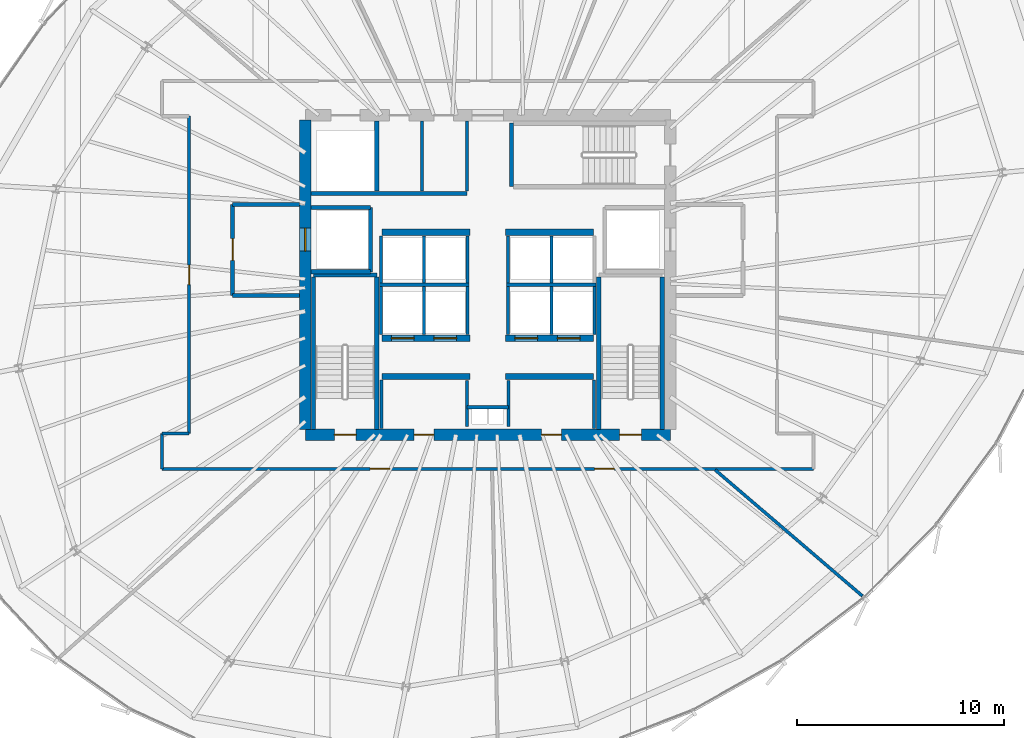
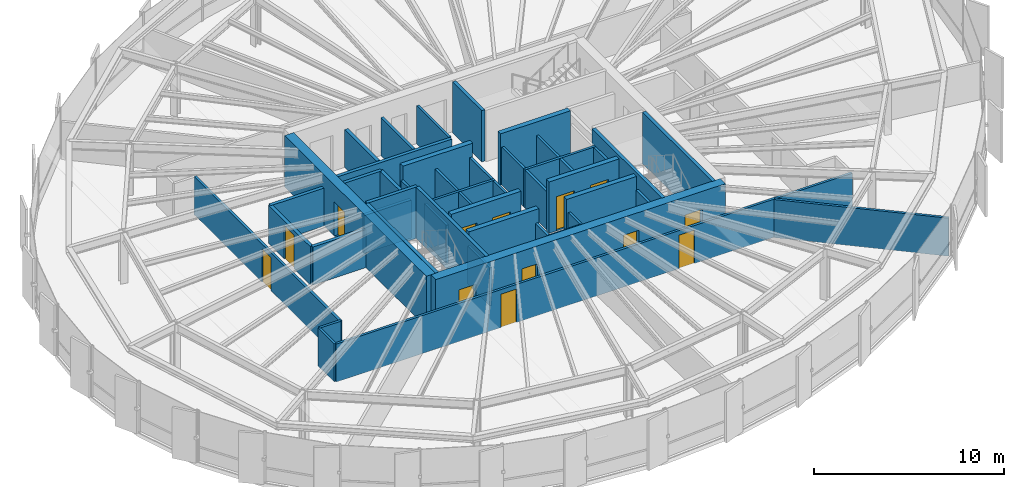
# One storey, part 29 of 35: 47 walls, 13 doors, 13 openings.
"""IFC4 building model written with IfcOpenShell, lengths in metres."""

from ifc_helpers import new_model, si_unit, direction, frame, frame_2d, origin, place, context, subcontext, project, spatial, rectangle, extrude, source, transform, mapped, material, layer, layer_set, type_object, element, fill, save


model = new_model("IFC4")

# Units and contexts
model_context = context("Model", 3, precision=1e-05, world=origin(), true_north=direction((0.0, 1.0)))
body_context = subcontext(model_context, "Body", "Model", "MODEL_VIEW")
ifc_project = project(units=[si_unit("LENGTHUNIT", "METRE"), si_unit("AREAUNIT", "SQUARE_METRE"), si_unit("VOLUMEUNIT", "CUBIC_METRE"), si_unit("PLANEANGLEUNIT", "RADIAN"), si_unit("MASSUNIT", "GRAM", prefix="KILO"), si_unit("THERMODYNAMICTEMPERATUREUNIT", "KELVIN")], contexts=[model_context])

# Site, building, storey
site_placement = place(None, origin())
site = spatial("IfcSite", under=ifc_project, at=site_placement, CompositionType="ELEMENT")
building_placement = place(site_placement, origin())
building = spatial("IfcBuilding", under=site, at=building_placement, Name="Kethvar Cultural Tower", CompositionType="ELEMENT")
storey_placement = place(building_placement, frame((0.0, 0.0, 135.89990234375)))
storey = spatial("IfcBuildingStorey", under=building, at=storey_placement, Name="L34", CompositionType="ELEMENT", Elevation=135.89990234375)

# Wall, openings, doors
ifc_material_1 = material(Name="Concrete C60/75", Category="concrete")
ifc_layer_1 = layer(ifc_material_1, 0.550048828125, Name="Concrete C60/75", Category="concrete")
ifc_layer_set_1 = layer_set([ifc_layer_1], Name="Concrete C60/75 (550 mm)")
wall_type_1 = type_object("IfcWallType", Name="WL-CORE-550", PredefinedType="SHEAR", material=ifc_layer_set_1)
wall_1_placement = place(storey_placement, frame((38.0, 20.10009765625, 0.0), z_axis=(0.0, 0.0, 1.0), x_axis=(1.0, 0.0, 0.0)))
wall_1 = element("IfcWall", 1, at=wall_1_placement, inside=storey, type_object=wall_type_1, Name="L34 Core Shear Wall S", PredefinedType="SHEAR", context=body_context, shape_type="SweptSolid", body=[
    extrude(rectangle(XDim=17.60009765625, YDim=0.550048828125, at=frame_2d((8.800048828125, 0.0))), origin(), (0.0, 0.0, 1.0), 3.300048828125),
])
opening_1_placement = place(wall_1_placement, frame((1.39990234375, 0.0, 0.0)))
opening_1 = element("IfcOpeningElement", 2, at=opening_1_placement, cuts=wall_1, Name="Opening D-L34-S1", PredefinedType="OPENING", context=body_context, shape_type="SweptSolid", body=[
    extrude(rectangle(XDim=1.050048828125, YDim=2.14990234375, at=frame_2d((0.52490234375, 1.074951171875))), frame((0.0, 0.284912109375, 0.0), z_axis=(0.0, -1.0, 0.0), x_axis=(1.0, 0.0, 0.0)), (0.0, 0.0, 1.0), 0.570068359375),
])
opening_2_placement = place(wall_1_placement, frame((15.14990234375, 0.0, 0.0)))
opening_2 = element("IfcOpeningElement", 3, at=opening_2_placement, cuts=wall_1, Name="Opening D-L34-ST2", PredefinedType="OPENING", context=body_context, shape_type="SweptSolid", body=[
    extrude(rectangle(XDim=1.050048828125, YDim=2.14990234375, at=frame_2d((0.52490234375, 1.074951171875))), frame((0.0, 0.284912109375, 0.0), z_axis=(0.0, -1.0, 0.0), x_axis=(1.0, 0.0, 0.0)), (0.0, 0.0, 1.0), 0.570068359375),
])
opening_3_placement = place(wall_1_placement, frame((5.25, 0.0, 0.0)))
opening_3 = element("IfcOpeningElement", 4, at=opening_3_placement, cuts=wall_1, Name="Opening D-L34-V1", PredefinedType="OPENING", context=body_context, shape_type="SweptSolid", body=[
    extrude(rectangle(XDim=0.949951171875, YDim=2.14990234375, at=frame_2d((0.47509765625, 1.074951171875))), frame((0.0, 0.284912109375, 0.0), z_axis=(0.0, -1.0, 0.0), x_axis=(1.0, 0.0, 0.0)), (0.0, 0.0, 1.0), 0.570068359375),
])
opening_4_placement = place(wall_1_placement, frame((11.39990234375, 0.0, 0.0)))
opening_4 = element("IfcOpeningElement", 5, at=opening_4_placement, cuts=wall_1, Name="Opening D-L34-V2", PredefinedType="OPENING", context=body_context, shape_type="SweptSolid", body=[
    extrude(rectangle(XDim=0.949951171875, YDim=2.14990234375, at=frame_2d((0.47509765625, 1.074951171875))), frame((0.0, 0.284912109375, 0.0), z_axis=(0.0, -1.0, 0.0), x_axis=(1.0, 0.0, 0.0)), (0.0, 0.0, 1.0), 0.570068359375),
])
ifc_material_2 = material(Name="Steel S355J2", Category="steel")
door_type_1 = type_object("IfcDoorType", Name="DR-FD60-1050", OperationType="NOTDEFINED", PredefinedType="DOOR", material=ifc_material_2)
shared_shape_1 = source(origin(), body_context, "Body", "SweptSolid", [
    extrude(rectangle(XDim=1.050048828125, YDim=2.14990234375, at=frame_2d((0.52490234375, 1.074951171875))), frame((0.0, 0.02490234375, 0.0), z_axis=(0.0, -1.0, 0.0), x_axis=(1.0, 0.0, 0.0)), (0.0, 0.0, 1.0), 0.050048828125),
])
door_1_placement = place(opening_1_placement, origin())
door_1 = element("IfcDoor", 6, at=door_1_placement, inside=storey, type_object=door_type_1, Name="L34 Exit Stair 1 Door", OperationType="SINGLE_SWING_LEFT", OverallHeight=2.14990234375, OverallWidth=1.050048828125, PredefinedType="DOOR", context=body_context, shape_type="MappedRepresentation", body=[
    mapped(shared_shape_1, transform((0.0, 0.0, 0.0), scale=1.0)),
])
fill(opening_1, door_1)
door_2_placement = place(opening_2_placement, origin())
door_2 = element("IfcDoor", 7, at=door_2_placement, inside=storey, type_object=door_type_1, Name="L34 Exit Stair 2 Door", OperationType="SINGLE_SWING_RIGHT", OverallHeight=2.14990234375, OverallWidth=1.050048828125, PredefinedType="DOOR", context=body_context, shape_type="MappedRepresentation", body=[
    mapped(shared_shape_1, transform((0.0, 0.0, 0.0), scale=1.0)),
])
fill(opening_2, door_2)
ifc_material_3 = material(Name="Architectural Oak Timber", Category="wood")
door_type_2 = type_object("IfcDoorType", Name="DR-FD30-950", OperationType="NOTDEFINED", PredefinedType="DOOR", material=ifc_material_3)
shared_shape_2 = source(origin(), body_context, "Body", "SweptSolid", [
    extrude(rectangle(XDim=0.949951171875, YDim=2.14990234375, at=frame_2d((0.47509765625, 1.074951171875))), frame((0.0, 0.02490234375, 0.0), z_axis=(0.0, -1.0, 0.0), x_axis=(1.0, 0.0, 0.0)), (0.0, 0.0, 1.0), 0.050048828125),
])
door_3_placement = place(opening_3_placement, origin())
door_3 = element("IfcDoor", 8, at=door_3_placement, inside=storey, type_object=door_type_2, Name="L34 Reclaimed West Room Door", OperationType="SINGLE_SWING_LEFT", OverallHeight=2.14990234375, OverallWidth=0.949951171875, PredefinedType="DOOR", context=body_context, shape_type="MappedRepresentation", body=[
    mapped(shared_shape_2, transform((0.0, 0.0, 0.0), scale=1.0)),
])
fill(opening_3, door_3)
door_4_placement = place(opening_4_placement, origin())
door_4 = element("IfcDoor", 9, at=door_4_placement, inside=storey, type_object=door_type_2, Name="L34 Reclaimed East Room Door", OperationType="SINGLE_SWING_RIGHT", OverallHeight=2.14990234375, OverallWidth=0.949951171875, PredefinedType="DOOR", context=body_context, shape_type="MappedRepresentation", body=[
    mapped(shared_shape_2, transform((0.0, 0.0, 0.0), scale=1.0)),
])
fill(opening_4, door_4)

# Wall, opening, door
wall_2_placement = place(storey_placement, frame((38.0, 35.260009765625, 0.0), z_axis=(0.0, 0.0, 1.0), x_axis=(0.0, -1.0, 0.0)))
wall_2 = element("IfcWall", 10, at=wall_2_placement, inside=storey, type_object=wall_type_1, Name="L34 Core Shear Wall W", PredefinedType="SHEAR", context=body_context, shape_type="SweptSolid", body=[
    extrude(rectangle(XDim=14.919921875, YDim=0.550048828125, at=frame_2d((7.4599609375, 0.0))), origin(), (0.0, 0.0, 1.0), 3.300048828125),
])
opening_5_placement = place(wall_2_placement, frame((5.2099609375, 0.0, 0.0)))
opening_5 = element("IfcOpeningElement", 11, at=opening_5_placement, cuts=wall_2, Name="Opening LD-1", PredefinedType="OPENING", context=body_context, shape_type="SweptSolid", body=[
    extrude(rectangle(XDim=1.10009765625, YDim=2.199951171875, at=frame_2d((0.550048828125, 1.10009765625))), frame((0.0, 0.284912109375, 0.0), z_axis=(0.0, -1.0, 0.0), x_axis=(1.0, 0.0, 0.0)), (0.0, 0.0, 1.0), 0.570068359375),
])
door_type_3 = type_object("IfcDoorType", Name="DR-LIFT-SLIDE-1100", OperationType="NOTDEFINED", PredefinedType="DOOR", material=ifc_material_2)
shared_shape_3 = source(origin(), body_context, "Body", "SweptSolid", [
    extrude(rectangle(XDim=1.10009765625, YDim=2.199951171875, at=frame_2d((0.550048828125, 1.10009765625))), frame((0.0, 0.02490234375, 0.0), z_axis=(0.0, -1.0, 0.0), x_axis=(1.0, 0.0, 0.0)), (0.0, 0.0, 1.0), 0.050048828125),
])
door_5_placement = place(opening_5_placement, origin())
door_5 = element("IfcDoor", 12, at=door_5_placement, inside=storey, type_object=door_type_3, Name="L34 Firefighting Lift Landing Door FFL-01", OperationType="SLIDING_TO_LEFT", OverallHeight=2.199951171875, OverallWidth=1.10009765625, PredefinedType="DOOR", context=body_context, shape_type="MappedRepresentation", body=[
    mapped(shared_shape_3, transform((0.0, 0.0, 0.0), scale=1.0)),
])
fill(opening_5, door_5)

# Walls
ifc_material_4 = material(Name="Gypsum Fireboard Partition")
ifc_layer_2 = layer(ifc_material_4, 0.14990234375, Name="Gypsum Fireboard Partition")
ifc_layer_set_2 = layer_set([ifc_layer_2], Name="Gypsum Fireboard Partition (150 mm)")
wall_type_2 = type_object("IfcWallType", Name="WL-FIRE-150", PredefinedType="PARTITIONING", material=ifc_layer_set_2)
wall_3_placement = place(storey_placement, frame((45.800048828125, 21.419921875, 0.0), z_axis=(0.0, 0.0, 1.0), x_axis=(1.0, 0.0, 0.0)))
element("IfcWall", 13, at=wall_3_placement, inside=storey, type_object=wall_type_2, Name="L34 Core Riser Wall", PredefinedType="PARTITIONING", context=body_context, shape_type="SweptSolid", body=[
    extrude(rectangle(XDim=2.0, YDim=0.14990234375, at=frame_2d((1.0, 0.0))), origin(), (0.0, 0.0, 1.0), 2.445068359375),
])
for number, where, z_axis, x_axis, name in (
    (14, (45.800048828125, 20.47998046875, 0.0), (0.0, 0.0, 1.0), (0.0, 1.0, 0.0), "L34 Core Riser West Wall"),
    (15, (47.800048828125, 20.47998046875, 0.0), (0.0, 0.0, 1.0), (0.0, 1.0, 0.0), "L34 Core Riser East Wall"),
):
    element("IfcWall", number, at=place(storey_placement, frame(where, z_axis=z_axis, x_axis=x_axis)), inside=storey, type_object=wall_type_2, Name=name, PredefinedType="PARTITIONING", context=body_context, shape_type="SweptSolid", body=[
        extrude(rectangle(XDim=2.239990234375, YDim=0.14990234375, at=frame_2d((1.1201171875, 0.0))), origin(), (0.0, 0.0, 1.0), 2.445068359375),
    ])
for number, where, z_axis, x_axis, name in (
    (16, (41.679931640625, 20.385009765625, 0.0), (0.0, 0.0, 1.0), (0.0, 1.0, 0.0), "L34 Reclaimed West Outer Wall"),
    (17, (51.919921875, 20.385009765625, 0.0), (0.0, 0.0, 1.0), (0.0, 1.0, 0.0), "L34 Reclaimed East Outer Wall"),
):
    element("IfcWall", number, at=place(storey_placement, frame(where, z_axis=z_axis, x_axis=x_axis)), inside=storey, type_object=wall_type_2, Name=name, PredefinedType="PARTITIONING", context=body_context, shape_type="SweptSolid", body=[
        extrude(rectangle(XDim=2.344970703125, YDim=0.14990234375, at=frame_2d((1.17236328125, 0.0))), origin(), (0.0, 0.0, 1.0), 2.445068359375),
    ])
wall_4_placement = place(storey_placement, frame((41.580078125, 27.324951171875, 0.0), z_axis=(0.0, 0.0, 1.0), x_axis=(1.0, 0.0, 0.0)))
element("IfcWall", 18, at=wall_4_placement, inside=storey, type_object=wall_type_2, Name="L34 Mid-High Lift Shaft Back Wall W", PredefinedType="PARTITIONING", context=body_context, shape_type="SweptSolid", body=[
    extrude(rectangle(XDim=4.31982421875, YDim=0.14990234375, at=frame_2d((2.159912109375, 0.0))), origin(), (0.0, 0.0, 1.0), 2.445068359375),
])
wall_5_placement = place(storey_placement, frame((47.699951171875, 27.324951171875, 0.0), z_axis=(0.0, 0.0, 1.0), x_axis=(1.0, 0.0, 0.0)))
element("IfcWall", 19, at=wall_5_placement, inside=storey, type_object=wall_type_2, Name="L34 Mid-High Lift Shaft Back Wall E", PredefinedType="PARTITIONING", context=body_context, shape_type="SweptSolid", body=[
    extrude(rectangle(XDim=4.320068359375, YDim=0.14990234375, at=frame_2d((2.16015625, 0.0))), origin(), (0.0, 0.0, 1.0), 2.445068359375),
])
for number, where, z_axis, x_axis, name in (
    (20, (41.64990234375, 24.919921875, 0.0), (0.0, 0.0, 1.0), (0.0, 1.0, 0.0), "L34 Mid-Rise Lift Shaft Outer Wall W"),
    (21, (43.72509765625, 24.919921875, 0.0), (0.0, 0.0, 1.0), (0.0, 1.0, 0.0), "L34 Mid-Rise Lift Shaft Divider W"),
    (22, (45.824951171875, 24.919921875, 0.0), (0.0, 0.0, 1.0), (0.0, 1.0, 0.0), "L34 Mid-Rise Lift Shaft Concourse Wall W"),
    (23, (47.77490234375, 24.919921875, 0.0), (0.0, 0.0, 1.0), (0.0, 1.0, 0.0), "L34 Mid-Rise Lift Shaft Concourse Wall E"),
    (24, (49.875, 24.919921875, 0.0), (0.0, 0.0, 1.0), (0.0, 1.0, 0.0), "L34 Mid-Rise Lift Shaft Divider E"),
    (25, (51.949951171875, 24.919921875, 0.0), (0.0, 0.0, 1.0), (0.0, 1.0, 0.0), "L34 Mid-Rise Lift Shaft Outer Wall E"),
):
    element("IfcWall", number, at=place(storey_placement, frame(where, z_axis=z_axis, x_axis=x_axis)), inside=storey, type_object=wall_type_2, Name=name, PredefinedType="PARTITIONING", context=body_context, shape_type="SweptSolid", body=[
        extrude(rectangle(XDim=2.320068359375, YDim=0.14990234375, at=frame_2d((1.16015625, 0.0))), origin(), (0.0, 0.0, 1.0), 2.445068359375),
    ])
for number, where, z_axis, x_axis, name in (
    (26, (41.64990234375, 27.409912109375, 0.0), (0.0, 0.0, 1.0), (0.0, 1.0, 0.0), "L34 High-Rise Lift Shaft Outer Wall W"),
    (27, (43.72509765625, 27.409912109375, 0.0), (0.0, 0.0, 1.0), (0.0, 1.0, 0.0), "L34 High-Rise Lift Shaft Divider W"),
    (28, (45.824951171875, 27.409912109375, 0.0), (0.0, 0.0, 1.0), (0.0, 1.0, 0.0), "L34 High-Rise Lift Shaft Concourse Wall W"),
    (29, (47.77490234375, 27.409912109375, 0.0), (0.0, 0.0, 1.0), (0.0, 1.0, 0.0), "L34 High-Rise Lift Shaft Concourse Wall E"),
    (30, (49.875, 27.409912109375, 0.0), (0.0, 0.0, 1.0), (0.0, 1.0, 0.0), "L34 High-Rise Lift Shaft Divider E"),
):
    element("IfcWall", number, at=place(storey_placement, frame(where, z_axis=z_axis, x_axis=x_axis)), inside=storey, type_object=wall_type_2, Name=name, PredefinedType="PARTITIONING", context=body_context, shape_type="SweptSolid", body=[
        extrude(rectangle(XDim=2.27001953125, YDim=0.14990234375, at=frame_2d((1.135009765625, 0.0))), origin(), (0.0, 0.0, 1.0), 2.445068359375),
    ])
wall_6_placement = place(storey_placement, frame((45.800048828125, 31.85009765625, 0.0), z_axis=(0.0, 0.0, 1.0), x_axis=(0.0, 1.0, 0.0)))
element("IfcWall", 31, at=wall_6_placement, inside=storey, type_object=wall_type_2, Name="L34 Sanitary Spine Wall", PredefinedType="PARTITIONING", context=body_context, shape_type="SweptSolid", body=[
    extrude(rectangle(XDim=3.364990234375, YDim=0.14990234375, at=frame_2d((1.6826171875, 0.0))), origin(), (0.0, 0.0, 1.0), 2.445068359375),
])

# Wall, openings, doors
wall_7_placement = place(storey_placement, frame((31.10009765625, 18.449951171875, 0.0), z_axis=(0.0, 0.0, 1.0), x_axis=(1.0, 0.0, 0.0)))
wall_7 = element("IfcWall", 32, at=wall_7_placement, inside=storey, type_object=wall_type_2, Name="L34 Corridor Rated Wall S", PredefinedType="PARTITIONING", context=body_context, shape_type="SweptSolid", body=[
    extrude(rectangle(XDim=31.39990234375, YDim=0.14990234375, at=frame_2d((15.699951171875, 0.0))), origin(), (0.0, 0.0, 1.0), 2.445068359375),
])
opening_6_placement = place(wall_7_placement, frame((10.031494140625, 0.0, 0.0)))
opening_6 = element("IfcOpeningElement", 33, at=opening_6_placement, cuts=wall_7, Name="Opening D-L34-01", PredefinedType="OPENING", context=body_context, shape_type="SweptSolid", body=[
    extrude(rectangle(XDim=0.949951171875, YDim=2.14990234375, at=frame_2d((0.47509765625, 1.074951171875))), frame((0.0, 0.0849609375, 0.0), z_axis=(0.0, -1.0, 0.0), x_axis=(1.0, 0.0, 0.0)), (0.0, 0.0, 1.0), 0.169921875),
])
opening_7_placement = place(wall_7_placement, frame((20.853515625, 0.0, 0.0)))
opening_7 = element("IfcOpeningElement", 34, at=opening_7_placement, cuts=wall_7, Name="Opening D-L34-02", PredefinedType="OPENING", context=body_context, shape_type="SweptSolid", body=[
    extrude(rectangle(XDim=0.949951171875, YDim=2.14990234375, at=frame_2d((0.47509765625, 1.074951171875))), frame((0.0, 0.0849609375, 0.0), z_axis=(0.0, -1.0, 0.0), x_axis=(1.0, 0.0, 0.0)), (0.0, 0.0, 1.0), 0.169921875),
])
door_6_placement = place(opening_6_placement, origin())
door_6 = element("IfcDoor", 35, at=door_6_placement, inside=storey, type_object=door_type_2, Name="L34 Curatorial Administration Office 01 Door", OperationType="SINGLE_SWING_LEFT", OverallHeight=2.14990234375, OverallWidth=0.949951171875, PredefinedType="DOOR", context=body_context, shape_type="MappedRepresentation", body=[
    mapped(shared_shape_2, transform((0.0, 0.0, 0.0), scale=1.0)),
])
fill(opening_6, door_6)
door_7_placement = place(opening_7_placement, origin())
door_7 = element("IfcDoor", 36, at=door_7_placement, inside=storey, type_object=door_type_2, Name="L34 Foundation Executive Office 02 Door", OperationType="SINGLE_SWING_RIGHT", OverallHeight=2.14990234375, OverallWidth=0.949951171875, PredefinedType="DOOR", context=body_context, shape_type="MappedRepresentation", body=[
    mapped(shared_shape_2, transform((0.0, 0.0, 0.0), scale=1.0)),
])
fill(opening_7, door_7)

# Wall, opening, door
wall_8_placement = place(storey_placement, frame((32.39990234375, 35.449951171875, 0.0), z_axis=(0.0, 0.0, 1.0), x_axis=(0.0, -1.0, 0.0)))
wall_8 = element("IfcWall", 37, at=wall_8_placement, inside=storey, type_object=wall_type_2, Name="L34 Corridor Rated Wall WM", PredefinedType="PARTITIONING", context=body_context, shape_type="SweptSolid", body=[
    extrude(rectangle(XDim=15.300048828125, YDim=0.14990234375, at=frame_2d((7.64990234375, 0.0))), origin(), (0.0, 0.0, 1.0), 2.445068359375),
])
opening_8_placement = place(wall_8_placement, frame((7.175048828125, 0.0, 0.0)))
opening_8 = element("IfcOpeningElement", 38, at=opening_8_placement, cuts=wall_8, Name="Opening D-L34-08", PredefinedType="OPENING", context=body_context, shape_type="SweptSolid", body=[
    extrude(rectangle(XDim=0.949951171875, YDim=2.14990234375, at=frame_2d((0.47509765625, 1.074951171875))), frame((0.0, 0.0849609375, 0.0), z_axis=(0.0, -1.0, 0.0), x_axis=(1.0, 0.0, 0.0)), (0.0, 0.0, 1.0), 0.169921875),
])
door_8_placement = place(opening_8_placement, origin())
door_8 = element("IfcDoor", 39, at=door_8_placement, inside=storey, type_object=door_type_2, Name="L34 Patron Reception 08 Door", OperationType="SINGLE_SWING_RIGHT", OverallHeight=2.14990234375, OverallWidth=0.949951171875, PredefinedType="DOOR", context=body_context, shape_type="MappedRepresentation", body=[
    mapped(shared_shape_2, transform((0.0, 0.0, 0.0), scale=1.0)),
])
fill(opening_8, door_8)

# Walls
wall_9_placement = place(storey_placement, frame((32.39990234375, 20.14990234375, 0.0), z_axis=(0.0, 0.0, 1.0), x_axis=(-1.0, 0.0, 0.0)))
element("IfcWall", 40, at=wall_9_placement, inside=storey, type_object=wall_type_2, Name="L34 Corridor Rated Wall WST", PredefinedType="PARTITIONING", context=body_context, shape_type="SweptSolid", body=[
    extrude(rectangle(XDim=1.2998046875, YDim=0.14990234375, at=frame_2d((0.64990234375, 0.0))), origin(), (0.0, 0.0, 1.0), 2.445068359375),
])
wall_10_placement = place(storey_placement, frame((31.10009765625, 20.14990234375, 0.0), z_axis=(0.0, 0.0, 1.0), x_axis=(0.0, -1.0, 0.0)))
element("IfcWall", 41, at=wall_10_placement, inside=storey, type_object=wall_type_2, Name="L34 Corridor Rated Wall WS", PredefinedType="PARTITIONING", context=body_context, shape_type="SweptSolid", body=[
    extrude(rectangle(XDim=1.699951171875, YDim=0.14990234375, at=frame_2d((0.85009765625, 0.0))), origin(), (0.0, 0.0, 1.0), 2.445068359375),
])
ifc_material_5 = material(Name="Concrete C40/50", Category="concrete")
ifc_layer_3 = layer(ifc_material_5, 0.199951171875, Name="Concrete C40/50", Category="concrete")
ifc_layer_set_3 = layer_set([ifc_layer_3], Name="Concrete C40/50 (200 mm)")
wall_type_3 = type_object("IfcWallType", Name="WL-FIRE-200", PredefinedType="PARTITIONING", material=ifc_layer_set_3)
wall_11_placement = place(storey_placement, frame((41.14990234375, 27.949951171875, 0.0), z_axis=(0.0, 0.0, 1.0), x_axis=(0.0, 1.0, 0.0)))
element("IfcWall", 42, at=wall_11_placement, inside=storey, type_object=wall_type_3, Name="L34 FFL-01 Shaft Inner Wall", PredefinedType="PARTITIONING", context=body_context, shape_type="SweptSolid", body=[
    extrude(rectangle(XDim=3.10009765625, YDim=0.199951171875, at=frame_2d((1.550048828125, 0.0))), origin(), (0.0, 0.0, 1.0), 2.445068359375),
])
for number, where, z_axis, x_axis, name in (
    (43, (38.284912109375, 27.949951171875, 0.0), (0.0, 0.0, 1.0), (1.0, 0.0, 0.0), "L34 FFL-01 Shaft South Wall"),
    (44, (38.284912109375, 31.050048828125, 0.0), (0.0, 0.0, 1.0), (1.0, 0.0, 0.0), "L34 FFL-01 Shaft North Wall"),
):
    element("IfcWall", number, at=place(storey_placement, frame(where, z_axis=z_axis, x_axis=x_axis)), inside=storey, type_object=wall_type_3, Name=name, PredefinedType="PARTITIONING", context=body_context, shape_type="SweptSolid", body=[
        extrude(rectangle(XDim=2.864990234375, YDim=0.199951171875, at=frame_2d((1.4326171875, 0.0))), origin(), (0.0, 0.0, 1.0), 2.445068359375),
    ])

# Wall, opening, door
wall_12_placement = place(storey_placement, frame((34.5, 31.199951171875, 0.0), z_axis=(0.0, 0.0, 1.0), x_axis=(0.0, -1.0, 0.0)))
wall_12 = element("IfcWall", 45, at=wall_12_placement, inside=storey, type_object=wall_type_3, Name="L34 Firefighting Lobby 1 Wall", PredefinedType="PARTITIONING", context=body_context, shape_type="SweptSolid", body=[
    extrude(rectangle(XDim=4.39990234375, YDim=0.199951171875, at=frame_2d((2.199951171875, 0.0))), origin(), (0.0, 0.0, 1.0), 2.445068359375),
])
opening_9_placement = place(wall_12_placement, frame((1.64990234375, 0.0, 0.0)))
opening_9 = element("IfcOpeningElement", 46, at=opening_9_placement, cuts=wall_12, Name="Opening D-L34-F1", PredefinedType="OPENING", context=body_context, shape_type="SweptSolid", body=[
    extrude(rectangle(XDim=1.050048828125, YDim=2.14990234375, at=frame_2d((0.52490234375, 1.074951171875))), frame((0.0, 0.10986328125, 0.0), z_axis=(0.0, -1.0, 0.0), x_axis=(1.0, 0.0, 0.0)), (0.0, 0.0, 1.0), 0.219970703125),
])
door_9_placement = place(opening_9_placement, origin())
door_9 = element("IfcDoor", 47, at=door_9_placement, inside=storey, type_object=door_type_1, Name="L34 Firefighting Lobby 1 Fire Door", OperationType="SINGLE_SWING_LEFT", OverallHeight=2.14990234375, OverallWidth=1.050048828125, PredefinedType="DOOR", context=body_context, shape_type="MappedRepresentation", body=[
    mapped(shared_shape_1, transform((0.0, 0.0, 0.0), scale=1.0)),
])
fill(opening_9, door_9)

# Walls
for number, where, z_axis, x_axis, name in (
    (48, (34.5, 26.800048828125, 0.0), (0.0, 0.0, 1.0), (1.0, 0.0, 0.0), "L34 FF Lobby 1 South Wall"),
    (49, (34.5, 31.199951171875, 0.0), (0.0, 0.0, 1.0), (1.0, 0.0, 0.0), "L34 FF Lobby 1 North Wall"),
):
    element("IfcWall", number, at=place(storey_placement, frame(where, z_axis=z_axis, x_axis=x_axis)), inside=storey, type_object=wall_type_3, Name=name, PredefinedType="PARTITIONING", context=body_context, shape_type="SweptSolid", body=[
        extrude(rectangle(XDim=3.215087890625, YDim=0.199951171875, at=frame_2d((1.607421875, 0.0))), origin(), (0.0, 0.0, 1.0), 2.445068359375),
    ])
wall_13_placement = place(storey_placement, frame((41.449951171875, 31.85009765625, 0.0), z_axis=(0.0, 0.0, 1.0), x_axis=(0.0, 1.0, 0.0)))
element("IfcWall", 50, at=wall_13_placement, inside=storey, type_object=wall_type_3, Name="L34 NW Core Pocket Wall", PredefinedType="PARTITIONING", context=body_context, shape_type="SweptSolid", body=[
    extrude(rectangle(XDim=3.364990234375, YDim=0.199951171875, at=frame_2d((1.6826171875, 0.0))), origin(), (0.0, 0.0, 1.0), 2.445068359375),
])
wall_14_placement = place(storey_placement, frame((38.284912109375, 31.72998046875, 0.0), z_axis=(0.0, 0.0, 1.0), x_axis=(1.0, 0.0, 0.0)))
element("IfcWall", 51, at=wall_14_placement, inside=storey, type_object=wall_type_3, Name="L34 North Core Sanitary South Wall", PredefinedType="PARTITIONING", context=body_context, shape_type="SweptSolid", body=[
    extrude(rectangle(XDim=7.51513671875, YDim=0.199951171875, at=frame_2d((3.757568359375, 0.0))), origin(), (0.0, 0.0, 1.0), 2.445068359375),
])
ifc_material_6 = material(Name="Gypsum Acoustic Partition")
ifc_layer_4 = layer(ifc_material_6, 0.14990234375, Name="Gypsum Acoustic Partition")
ifc_layer_set_4 = layer_set([ifc_layer_4], Name="Gypsum Acoustic Partition (150 mm)")
wall_type_4 = type_object("IfcWallType", Name="WL-PART-150", PredefinedType="PARTITIONING", material=ifc_layer_set_4)
wall_15_placement = place(storey_placement, frame((57.76171875, 18.39794921875, 0.0), z_axis=(0.0, 0.0, 1.0), x_axis=(0.759568143106, -0.650427733095, 0.0)))
element("IfcWall", 52, at=wall_15_placement, inside=storey, type_object=wall_type_4, Name="L34 Radial Partition Wall 03", PredefinedType="PARTITIONING", context=body_context, shape_type="SweptSolid", body=[
    extrude(rectangle(XDim=9.345947265625, YDim=0.14990234375, at=frame_2d((4.6728515625, 0.0))), origin(), (0.0, 0.0, 1.0), 2.445068359375),
])
ifc_material_7 = material(Name="Moisture-Resistant Sanitary Chase Wall")
ifc_layer_5 = layer(ifc_material_7, 0.14990234375, Name="Moisture-Resistant Sanitary Chase Wall")
ifc_layer_set_5 = layer_set([ifc_layer_5], Name="Moisture-Resistant Sanitary Chase Wall (150 mm)")
wall_type_5 = type_object("IfcWallType", Name="WL-PLUMB-150", PredefinedType="PLUMBINGWALL", material=ifc_layer_set_5)
wall_16_placement = place(storey_placement, frame((43.6201171875, 31.85009765625, 0.0), z_axis=(0.0, 0.0, 1.0), x_axis=(0.0, 1.0, 0.0)))
element("IfcWall", 53, at=wall_16_placement, inside=storey, type_object=wall_type_5, Name="L34 Sanitary Plumbing Wall", PredefinedType="PLUMBINGWALL", context=body_context, shape_type="SweptSolid", body=[
    extrude(rectangle(XDim=3.364990234375, YDim=0.14990234375, at=frame_2d((1.6826171875, 0.0))), origin(), (0.0, 0.0, 1.0), 2.445068359375),
])
ifc_material_8 = material(Name="Concrete C50/60", Category="concrete")
ifc_layer_6 = layer(ifc_material_8, 0.300048828125, Name="Concrete C50/60", Category="concrete")
ifc_layer_set_6 = layer_set([ifc_layer_6], Name="Concrete C50/60 (300 mm)")
wall_type_6 = type_object("IfcWallType", Name="WL-SHAFT-300", PredefinedType="SHEAR", material=ifc_layer_set_6)
for number, where, z_axis, x_axis, name in (
    (54, (41.699951171875, 22.89990234375, 0.0), (0.0, 0.0, 1.0), (1.0, 0.0, 0.0), "L34 Core Lift Spine Wall MID1W"),
    (55, (47.64990234375, 22.89990234375, 0.0), (0.0, 0.0, 1.0), (1.0, 0.0, 0.0), "L34 Core Lift Spine Wall MID1E"),
):
    element("IfcWall", number, at=place(storey_placement, frame(where, z_axis=z_axis, x_axis=x_axis)), inside=storey, type_object=wall_type_6, Name=name, PredefinedType="SHEAR", context=body_context, shape_type="SweptSolid", body=[
        extrude(rectangle(XDim=4.25, YDim=0.300048828125, at=frame_2d((2.125, 0.0))), origin(), (0.0, 0.0, 1.0), 3.300048828125),
    ])

# Wall, openings, doors
wall_17_placement = place(storey_placement, frame((41.699951171875, 24.75, 0.0), z_axis=(0.0, 0.0, 1.0), x_axis=(1.0, 0.0, 0.0)))
wall_17 = element("IfcWall", 56, at=wall_17_placement, inside=storey, type_object=wall_type_6, Name="L34 Core Lift Spine Wall MID2W", PredefinedType="SHEAR", context=body_context, shape_type="SweptSolid", body=[
    extrude(rectangle(XDim=4.25, YDim=0.300048828125, at=frame_2d((2.125, 0.0))), origin(), (0.0, 0.0, 1.0), 3.300048828125),
])
opening_10_placement = place(wall_17_placement, frame((0.449951171875, 0.0, 0.0)))
opening_10 = element("IfcOpeningElement", 57, at=opening_10_placement, cuts=wall_17, Name="Opening LD-M1", PredefinedType="OPENING", context=body_context, shape_type="SweptSolid", body=[
    extrude(rectangle(XDim=1.10009765625, YDim=2.199951171875, at=frame_2d((0.550048828125, 1.10009765625))), frame((0.0, 0.159912109375, 0.0), z_axis=(0.0, -1.0, 0.0), x_axis=(1.0, 0.0, 0.0)), (0.0, 0.0, 1.0), 0.320068359375),
])
opening_11_placement = place(wall_17_placement, frame((2.5, 0.0, 0.0)))
opening_11 = element("IfcOpeningElement", 58, at=opening_11_placement, cuts=wall_17, Name="Opening LD-M2", PredefinedType="OPENING", context=body_context, shape_type="SweptSolid", body=[
    extrude(rectangle(XDim=1.10009765625, YDim=2.199951171875, at=frame_2d((0.550048828125, 1.10009765625))), frame((0.0, 0.159912109375, 0.0), z_axis=(0.0, -1.0, 0.0), x_axis=(1.0, 0.0, 0.0)), (0.0, 0.0, 1.0), 0.320068359375),
])
door_10_placement = place(opening_10_placement, origin())
door_10 = element("IfcDoor", 59, at=door_10_placement, inside=storey, type_object=door_type_3, Name="L34 Mid-Rise Lift Landing Door M1", OperationType="SLIDING_TO_RIGHT", OverallHeight=2.199951171875, OverallWidth=1.10009765625, PredefinedType="DOOR", context=body_context, shape_type="MappedRepresentation", body=[
    mapped(shared_shape_3, transform((0.0, 0.0, 0.0), scale=1.0)),
])
fill(opening_10, door_10)
door_11_placement = place(opening_11_placement, origin())
door_11 = element("IfcDoor", 60, at=door_11_placement, inside=storey, type_object=door_type_3, Name="L34 Mid-Rise Lift Landing Door M2", OperationType="SLIDING_TO_RIGHT", OverallHeight=2.199951171875, OverallWidth=1.10009765625, PredefinedType="DOOR", context=body_context, shape_type="MappedRepresentation", body=[
    mapped(shared_shape_3, transform((0.0, 0.0, 0.0), scale=1.0)),
])
fill(opening_11, door_11)

wall_18_placement = place(storey_placement, frame((47.64990234375, 24.75, 0.0), z_axis=(0.0, 0.0, 1.0), x_axis=(1.0, 0.0, 0.0)))
wall_18 = element("IfcWall", 61, at=wall_18_placement, inside=storey, type_object=wall_type_6, Name="L34 Core Lift Spine Wall MID2E", PredefinedType="SHEAR", context=body_context, shape_type="SweptSolid", body=[
    extrude(rectangle(XDim=4.25, YDim=0.300048828125, at=frame_2d((2.125, 0.0))), origin(), (0.0, 0.0, 1.0), 3.300048828125),
])
opening_12_placement = place(wall_18_placement, frame((0.449951171875, 0.0, 0.0)))
opening_12 = element("IfcOpeningElement", 62, at=opening_12_placement, cuts=wall_18, Name="Opening LD-M3", PredefinedType="OPENING", context=body_context, shape_type="SweptSolid", body=[
    extrude(rectangle(XDim=1.10009765625, YDim=2.199951171875, at=frame_2d((0.550048828125, 1.10009765625))), frame((0.0, 0.159912109375, 0.0), z_axis=(0.0, -1.0, 0.0), x_axis=(1.0, 0.0, 0.0)), (0.0, 0.0, 1.0), 0.320068359375),
])
opening_13_placement = place(wall_18_placement, frame((2.5, 0.0, 0.0)))
opening_13 = element("IfcOpeningElement", 63, at=opening_13_placement, cuts=wall_18, Name="Opening LD-M4", PredefinedType="OPENING", context=body_context, shape_type="SweptSolid", body=[
    extrude(rectangle(XDim=1.10009765625, YDim=2.199951171875, at=frame_2d((0.550048828125, 1.10009765625))), frame((0.0, 0.159912109375, 0.0), z_axis=(0.0, -1.0, 0.0), x_axis=(1.0, 0.0, 0.0)), (0.0, 0.0, 1.0), 0.320068359375),
])
door_12_placement = place(opening_12_placement, origin())
door_12 = element("IfcDoor", 64, at=door_12_placement, inside=storey, type_object=door_type_3, Name="L34 Mid-Rise Lift Landing Door M3", OperationType="SLIDING_TO_RIGHT", OverallHeight=2.199951171875, OverallWidth=1.10009765625, PredefinedType="DOOR", context=body_context, shape_type="MappedRepresentation", body=[
    mapped(shared_shape_3, transform((0.0, 0.0, 0.0), scale=1.0)),
])
fill(opening_12, door_12)
door_13_placement = place(opening_13_placement, origin())
door_13 = element("IfcDoor", 65, at=door_13_placement, inside=storey, type_object=door_type_3, Name="L34 Mid-Rise Lift Landing Door M4", OperationType="SLIDING_TO_RIGHT", OverallHeight=2.199951171875, OverallWidth=1.10009765625, PredefinedType="DOOR", context=body_context, shape_type="MappedRepresentation", body=[
    mapped(shared_shape_3, transform((0.0, 0.0, 0.0), scale=1.0)),
])
fill(opening_13, door_13)

# Walls
for number, where, z_axis, x_axis, name in (
    (66, (41.699951171875, 29.85009765625, 0.0), (0.0, 0.0, 1.0), (1.0, 0.0, 0.0), "L34 Core Lift Spine Wall MID3W"),
    (67, (47.64990234375, 29.85009765625, 0.0), (0.0, 0.0, 1.0), (1.0, 0.0, 0.0), "L34 Core Lift Spine Wall MID3E"),
):
    element("IfcWall", number, at=place(storey_placement, frame(where, z_axis=z_axis, x_axis=x_axis)), inside=storey, type_object=wall_type_6, Name=name, PredefinedType="SHEAR", context=body_context, shape_type="SweptSolid", body=[
        extrude(rectangle(XDim=4.25, YDim=0.300048828125, at=frame_2d((2.125, 0.0))), origin(), (0.0, 0.0, 1.0), 3.300048828125),
    ])
ifc_layer_7 = layer(ifc_material_8, 0.199951171875, Name="Concrete C50/60", Category="concrete")
ifc_layer_set_7 = layer_set([ifc_layer_7], Name="Concrete C50/60 (200 mm)")
wall_type_7 = type_object("IfcWallType", Name="WL-STSHAFT-200", PredefinedType="SHEAR", material=ifc_layer_set_7)
wall_19_placement = place(storey_placement, frame((38.389892578125, 27.800048828125, 0.0), z_axis=(0.0, 0.0, 1.0), x_axis=(1.0, 0.0, 0.0)))
element("IfcWall", 68, at=wall_19_placement, inside=storey, type_object=wall_type_7, Name="L34 ST-01 Stair Shaft Wall FAR", PredefinedType="SHEAR", context=body_context, shape_type="SweptSolid", body=[
    extrude(rectangle(XDim=3.06005859375, YDim=0.199951171875, at=frame_2d((1.530029296875, 0.0))), origin(), (0.0, 0.0, 1.0), 3.300048828125),
])
for number, where, z_axis, x_axis, name in (
    (69, (41.449951171875, 27.699951171875, 0.0), (0.0, 0.0, 1.0), (0.0, -1.0, 0.0), "L34 ST-01 Stair Shaft Wall LEFT"),
    (70, (38.389892578125, 20.35009765625, 0.0), (0.0, 0.0, 1.0), (0.0, 1.0, 0.0), "L34 ST-01 Stair Shaft Wall RIGHT"),
    (71, (55.2099609375, 27.699951171875, 0.0), (0.0, 0.0, 1.0), (0.0, -1.0, 0.0), "L34 ST-02 Stair Shaft Wall LEFT"),
    (72, (52.14990234375, 20.35009765625, 0.0), (0.0, 0.0, 1.0), (0.0, 1.0, 0.0), "L34 ST-02 Stair Shaft Wall RIGHT"),
):
    element("IfcWall", number, at=place(storey_placement, frame(where, z_axis=z_axis, x_axis=x_axis)), inside=storey, type_object=wall_type_7, Name=name, PredefinedType="SHEAR", context=body_context, shape_type="SweptSolid", body=[
        extrude(rectangle(XDim=7.349853515625, YDim=0.199951171875, at=frame_2d((3.6748046875, 0.0))), origin(), (0.0, 0.0, 1.0), 3.300048828125),
    ])
wall_20_placement = place(storey_placement, frame((47.949951171875, 32.050048828125, 0.0), z_axis=(0.0, 0.0, 1.0), x_axis=(0.0, 1.0, 0.0)))
element("IfcWall", 73, at=wall_20_placement, inside=storey, type_object=wall_type_7, Name="L34 ST-03 Stair Shaft Wall FAR", PredefinedType="SHEAR", context=body_context, shape_type="SweptSolid", body=[
    extrude(rectangle(XDim=3.06005859375, YDim=0.199951171875, at=frame_2d((1.530029296875, 0.0))), origin(), (0.0, 0.0, 1.0), 3.300048828125),
])

save(model, "model.ifc")
